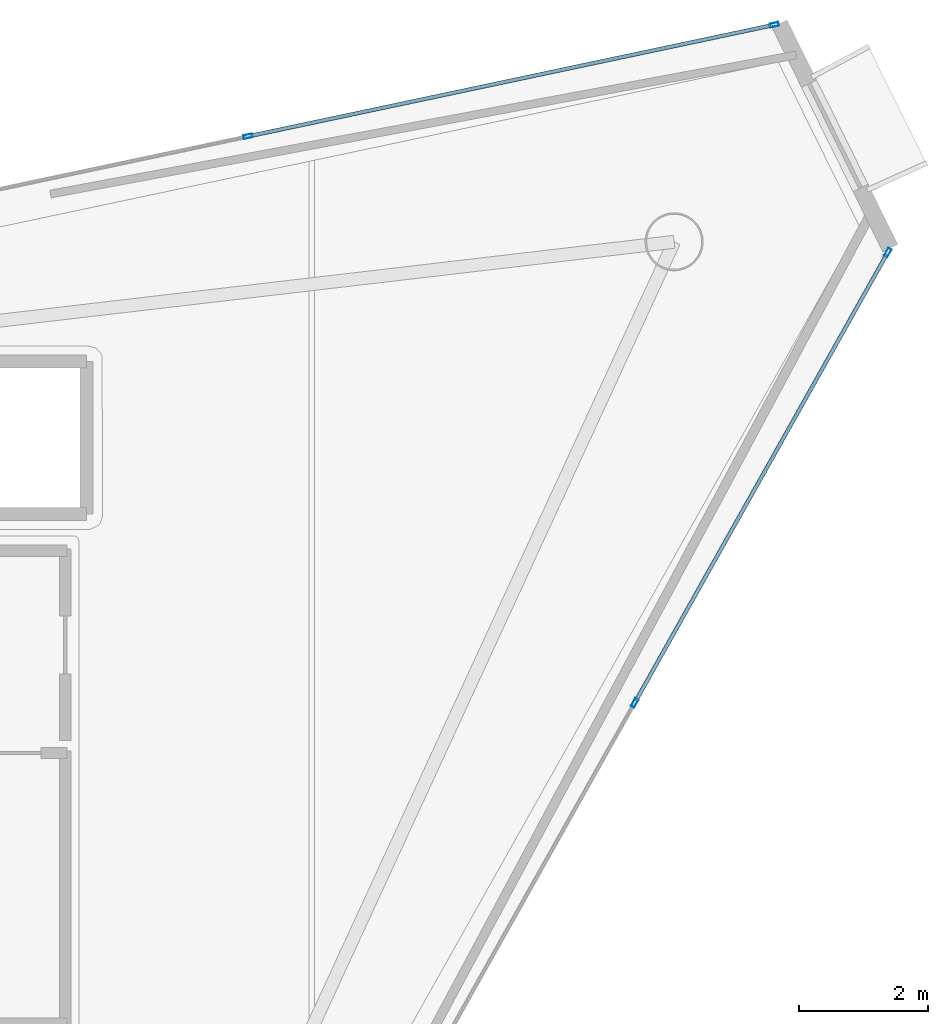
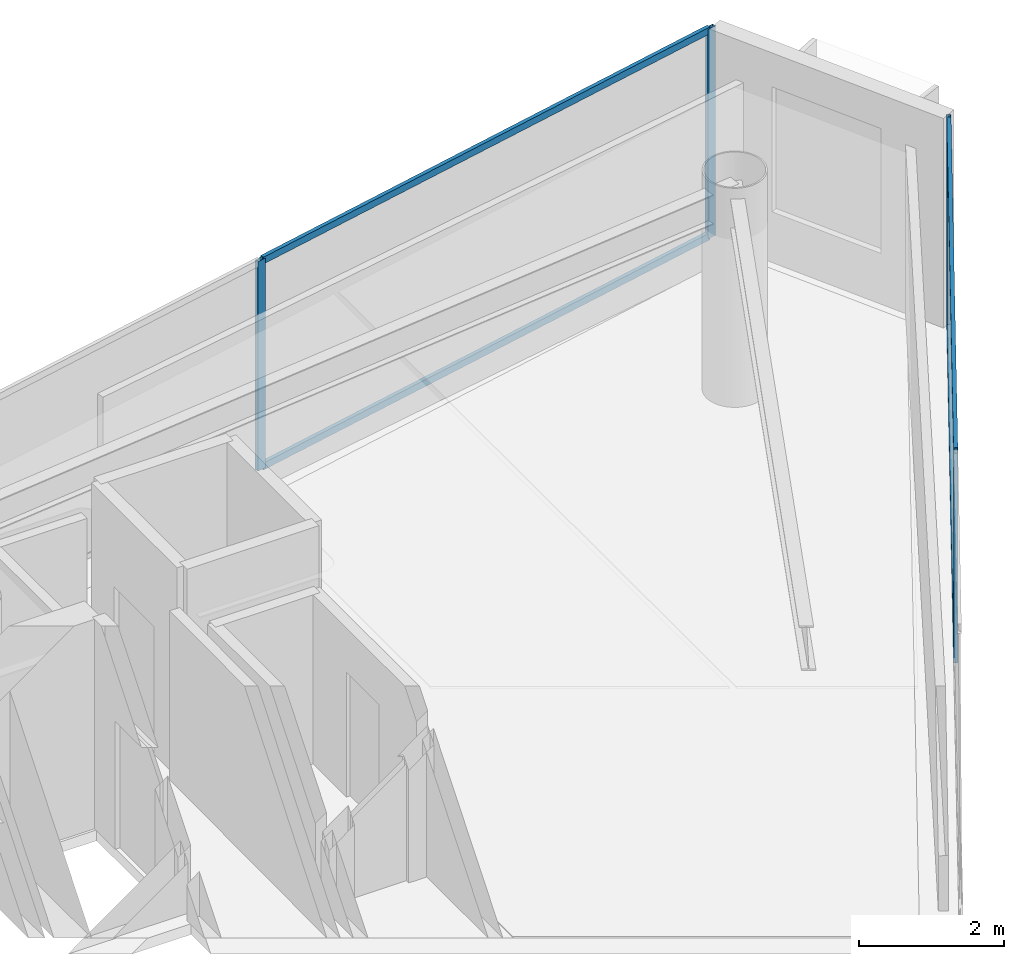
# One storey, part 15 of 21: 8 members, 2 elements without a shape of their own.
"""IFC4 building model written with IfcOpenShell, lengths in metres."""

import ifcopenshell
import ifcopenshell.guid

model = None  # the IFC model being written
_history = None  # IfcOwnerHistory: only IFC2X3 demands one
_inside = {}  # id of a spatial element -> (the spatial element, [elements in it])
_under = {}  # id of a project, library or spatial element -> (it, [spatial elements below it])
_declared = {}  # id of a project -> (the project, [libraries it declares])
_typed = {}  # id of a type object -> (the type object, [elements of that type])
_made_of = {}  # id of a material, layer set ... -> (it, [elements and type objects made of it])


def new_model(schema):
    """Start an empty IFC model of exactly this schema.

    Asked for "IFC4X3", IfcOpenShell would pick the latest addendum, in which some entities
    have other attributes; the version numbers below select the first issue.
    IFC2X3 requires an IfcOwnerHistory on every rooted entity: one is made here for all.
    """
    global model, _history
    if schema == "IFC4X3":
        model = ifcopenshell.file(schema_version=(4, 3, 0, 0))
    else:
        model = ifcopenshell.file(schema=schema)
    _inside.clear()
    _under.clear()
    _declared.clear()
    _typed.clear()
    _made_of.clear()
    _history = None
    if model.schema == "IFC2X3":
        org = make("IfcOrganization", Name="unknown")
        user = make(
            "IfcPersonAndOrganization",
            ThePerson=make("IfcPerson", FamilyName="unknown"),
            TheOrganization=org,
        )
        app = make(
            "IfcApplication",
            ApplicationDeveloper=org,
            Version="unknown",
            ApplicationFullName="unknown",
            ApplicationIdentifier="unknown",
        )
        _history = make(
            "IfcOwnerHistory",
            OwningUser=user,
            OwningApplication=app,
            ChangeAction="ADDED",
            CreationDate=0,
        )
    return model


def make(cls, **values):
    """One entity of the class cls with the attributes given. An attribute that is None is left unset."""
    return model.create_entity(
        cls, **{name: value for name, value in values.items() if value is not None}
    )


def rooted(cls, **values):
    """An entity with a GlobalId (a new one), such as an element, a storey or a relation."""
    return make(cls, GlobalId=ifcopenshell.guid.new(), OwnerHistory=_history, **values)


def si_unit(unit_type, name, prefix=None):
    """IfcSIUnit, for example si_unit("LENGTHUNIT", "METRE", prefix="MILLI")."""
    return make("IfcSIUnit", UnitType=unit_type, Prefix=prefix, Name=name)


def assignment(units):
    """IfcUnitAssignment: the units of a project."""
    return None if units is None else make("IfcUnitAssignment", Units=units)


def point(xyz):
    """IfcCartesianPoint."""
    return None if xyz is None else make("IfcCartesianPoint", Coordinates=xyz)


def direction(xyz):
    """IfcDirection."""
    return None if xyz is None else make("IfcDirection", DirectionRatios=xyz)


def frame(location, z_axis=None, x_axis=None):
    """IfcAxis2Placement3D, a coordinate frame: its origin and axes. An axis left out is left unset."""
    return make(
        "IfcAxis2Placement3D",
        Location=point(location),
        Axis=direction(z_axis),
        RefDirection=direction(x_axis),
    )


def frame_2d(location, x_axis=None):
    """IfcAxis2Placement2D, a coordinate frame in the plane: its origin and x axis."""
    return make(
        "IfcAxis2Placement2D", Location=point(location), RefDirection=direction(x_axis)
    )


def origin():
    """The frame at (0, 0, 0) with its axes left unset."""
    return frame((0.0, 0.0, 0.0))


def origin_2d():
    """The frame at (0, 0) in the plane with its x axis left unset."""
    return frame_2d((0.0, 0.0))


def place(relative_to, where):
    """IfcLocalPlacement: puts the frame where relative to a parent placement (None: the world)."""
    return make(
        "IfcLocalPlacement", PlacementRelTo=relative_to, RelativePlacement=where
    )


def context(
    kind, dimensions, precision=None, world=None, true_north=None, identifier=None
):
    """IfcGeometricRepresentationContext, for example the 3D "Model" context."""
    return make(
        "IfcGeometricRepresentationContext",
        ContextIdentifier=identifier,
        ContextType=kind,
        CoordinateSpaceDimension=dimensions,
        Precision=precision,
        WorldCoordinateSystem=world,
        TrueNorth=true_north,
    )


def subcontext(parent, identifier, kind, view, scale=None):
    """IfcGeometricRepresentationSubContext, for example "Body" below "Model"."""
    return make(
        "IfcGeometricRepresentationSubContext",
        ContextIdentifier=identifier,
        ContextType=kind,
        ParentContext=parent,
        TargetScale=scale,
        TargetView=view,
    )


def project(units=None, contexts=None):
    """IfcProject with its units and contexts."""
    return rooted(
        "IfcProject",
        Name="project",
        RepresentationContexts=contexts,
        UnitsInContext=assignment(units),
    )


def spatial(cls, under=None, at=None, **own):
    """A site, building, storey or space (cls), placed at a placement, below another one or the project."""
    s = rooted(cls, ObjectPlacement=at, **own)
    if under is not None:
        _under.setdefault(under.id(), (under, []))[1].append(s)
    return s


def profile(cls, at=None, kind="AREA", **sizes):
    """A parametric profile (cls). Its sizes go by their IFC names, for example OverallWidth=200.0."""
    return make(cls, ProfileType=kind, Position=at, **sizes)


def hollow_rectangle(**sizes):
    """IfcRectangleHollowProfileDef."""
    return profile("IfcRectangleHollowProfileDef", **sizes)


def extrude(swept, where, along, depth):
    """IfcExtrudedAreaSolid: the profile swept, set in the frame where, extruded along a direction by depth."""
    return make(
        "IfcExtrudedAreaSolid",
        SweptArea=swept,
        Position=where,
        ExtrudedDirection=direction(along),
        Depth=depth,
    )


def shape(context_of_items, identifier, shape_type, items):
    """IfcShapeRepresentation: the items that make up one representation, for example the "Body"."""
    return make(
        "IfcShapeRepresentation",
        ContextOfItems=context_of_items,
        RepresentationIdentifier=identifier,
        RepresentationType=shape_type,
        Items=items,
    )


def material(Name=None, Category=None):
    """IfcMaterial."""
    return make("IfcMaterial", Name=Name, Category=Category)


def layer(
    of_material, thickness, ventilated=None, Name=None, Category=None, Priority=None
):
    """IfcMaterialLayer: one layer of a wall or slab, of a material (None: an air gap)."""
    return make(
        "IfcMaterialLayer",
        Material=of_material,
        LayerThickness=thickness,
        IsVentilated=ventilated,
        Name=Name,
        Category=Category,
        Priority=Priority,
    )


def layer_set(layers, Name=None):
    """IfcMaterialLayerSet."""
    return make("IfcMaterialLayerSet", MaterialLayers=layers, LayerSetName=Name)


def material_profile(
    of_material, cross_section, Name=None, Category=None, Priority=None
):
    """IfcMaterialProfile: a cross section and its material."""
    return make(
        "IfcMaterialProfile",
        Name=Name,
        Material=of_material,
        Profile=cross_section,
        Priority=Priority,
        Category=Category,
    )


def profile_set(profiles, Name=None, composite=None):
    """IfcMaterialProfileSet."""
    return make(
        "IfcMaterialProfileSet",
        Name=Name,
        MaterialProfiles=profiles,
        CompositeProfile=composite,
    )


def made_of(thing, what):
    """Note that an element or type object is made of a material, layer set ...; save() writes the relation."""
    if what is not None:
        _made_of.setdefault(what.id(), (what, []))[1].append(thing)
    return thing


def type_object(cls, material=None, **own):
    """A type object (cls), such as IfcWallType, which elements share."""
    return made_of(rooted(cls, **own), material)


def element(
    cls,
    number,
    at=None,
    inside=None,
    cuts=None,
    type_object=None,
    material=None,
    context=None,
    identifier="Body",
    shape_type=None,
    held_by="IfcProductDefinitionShape",
    body=None,
    shapes=None,
    **own,
):
    """One element of the class cls, such as IfcWall. Its Tag is "e" and its number.

    at: its placement. inside: the storey or other place that contains it. cuts: it is an
    opening in that element (IfcRelVoidsElement). A single representation is given by context,
    identifier, shape_type and body (its items); several are given by shapes. held_by: the class
    of the entity that holds the representations. save() writes the other relations.
    """
    e = rooted(cls, Tag="e%d" % number, ObjectPlacement=at, **own)
    if body is not None:
        shapes = [shape(context, identifier, shape_type, body)]
    if shapes is not None:
        e.Representation = make(held_by, Representations=shapes)
    if inside is not None:
        _inside.setdefault(inside.id(), (inside, []))[1].append(e)
    if cuts is not None:
        rooted(
            "IfcRelVoidsElement", RelatingBuildingElement=cuts, RelatedOpeningElement=e
        )
    if type_object is not None:
        _typed.setdefault(type_object.id(), (type_object, []))[1].append(e)
    return made_of(e, material)


def aggregate(whole, parts):
    """IfcRelAggregates: a whole, such as a stair, and the parts it consists of."""
    return rooted("IfcRelAggregates", RelatingObject=whole, RelatedObjects=parts)


def save(model, path):
    """Write the relations noted so far, then the file.

    IfcRelAggregates (storeys below a building ...), IfcRelContainedInSpatialStructure (elements
    in a storey), IfcRelDefinesByType, IfcRelAssociatesMaterial and IfcRelDeclares: one each for
    every whole, place, type object, material and project.
    """
    for whole, parts in _under.values():
        aggregate(whole, parts)
    for where, things in _inside.values():
        rooted(
            "IfcRelContainedInSpatialStructure",
            RelatedElements=things,
            RelatingStructure=where,
        )
    for kind, things in _typed.values():
        rooted("IfcRelDefinesByType", RelatedObjects=things, RelatingType=kind)
    for what, things in _made_of.values():
        rooted("IfcRelAssociatesMaterial", RelatedObjects=things, RelatingMaterial=what)
    for by, libraries in _declared.values():
        rooted("IfcRelDeclares", RelatingContext=by, RelatedDefinitions=libraries)
    model.write(path)


model = new_model("IFC4")

# Units and contexts
model_context = context("Model", 3, precision=1e-05, world=origin(), true_north=direction((0.0, 1.0)))
body_context = subcontext(model_context, "Body", "Model", "MODEL_VIEW")
ifc_project = project(units=[si_unit("LENGTHUNIT", "METRE"), si_unit("AREAUNIT", "SQUARE_METRE"), si_unit("VOLUMEUNIT", "CUBIC_METRE"), si_unit("PLANEANGLEUNIT", "RADIAN"), si_unit("MASSUNIT", "GRAM", prefix="KILO")], contexts=[model_context])

# Site, building, storey
site_placement = place(None, origin())
site = spatial("IfcSite", under=ifc_project, at=site_placement, CompositionType="ELEMENT")
building_placement = place(site_placement, origin())
building = spatial("IfcBuilding", under=site, at=building_placement, Name="Qianvela Tower", CompositionType="ELEMENT")
storey_placement = place(building_placement, frame((0.0, 0.0, 302.800048828125)))
storey = spatial("IfcBuildingStorey", under=building, at=storey_placement, Name="L78", CompositionType="ELEMENT", Elevation=302.800048828125)

# Curtain wall, members
ifc_material_1 = material(Name="Anodised Architectural Aluminium and Low-E Glass", Category="aluminium")
ifc_layer = layer(ifc_material_1, 0.14990234375)
ifc_layer_set = layer_set([ifc_layer], Name="Anodised Architectural Aluminium and Low-E Glass")
curtain_wall_type = type_object("IfcCurtainWallType", Name="CW-COLIV-Z78", PredefinedType="USERDEFINED", material=ifc_layer_set)
curtain_wall_1_placement = place(storey_placement, origin())
curtain_wall_1 = element("IfcCurtainWall", 1, at=curtain_wall_1_placement, inside=storey, type_object=curtain_wall_type, Name="L78 CW-COLIV-Z78 Curtain Wall 02A", ObjectType="CURTAIN_WALL_SYSTEM", PredefinedType="USERDEFINED")
ifc_material_2 = material(Name="Anodised Architectural Aluminium 6063-T6", Category="aluminium")
ifc_material_profile_1 = material_profile(ifc_material_2, hollow_rectangle(XDim=0.06005859375, YDim=0.139892578125, WallThickness=0.00439453125, at=origin_2d()), Name="ALU-MULL-60x140")
ifc_profile_set_1 = profile_set([ifc_material_profile_1], Name="Anodised Architectural Aluminium 6063-T6")
member_type_1 = type_object("IfcMemberType", Name="CW-COLIV-Z78-MULL", PredefinedType="MULLION", material=ifc_profile_set_1)
member_1_placement = place(storey_placement, frame((54.199462890625, 40.494873046875, 0.0), z_axis=(0.0, 0.0, 1.0), x_axis=(0.207344992385, -0.978267884648, 0.0)))
member_1 = element("IfcMember", 2, at=member_1_placement, type_object=member_type_1, Name="CW-6 mullion 1", PredefinedType="MULLION", context=body_context, shape_type="SweptSolid", body=[
    extrude(hollow_rectangle(XDim=0.06005859375, YDim=0.139892578125, WallThickness=0.00439453125, at=origin_2d()), origin(), (0.0, 0.0, 1.0), 3.52001953125),
])
member_2_placement = place(storey_placement, frame((46.050537109375, 38.767822265625, 0.0), z_axis=(0.0, 0.0, 1.0), x_axis=(0.207344992385, -0.978267884648, 0.0)))
member_2 = element("IfcMember", 3, at=member_2_placement, type_object=member_type_1, Name="CW-6 mullion 2", PredefinedType="MULLION", context=body_context, shape_type="SweptSolid", body=[
    extrude(hollow_rectangle(XDim=0.06005859375, YDim=0.139892578125, WallThickness=0.00439453125, at=origin_2d()), origin(), (0.0, 0.0, 1.0), 3.52001953125),
])

curtain_wall_2_placement = place(storey_placement, origin())
curtain_wall_2 = element("IfcCurtainWall", 4, at=curtain_wall_2_placement, inside=storey, type_object=curtain_wall_type, Name="L78 CW-COLIV-Z78 Curtain Wall 06C", ObjectType="CURTAIN_WALL_SYSTEM", PredefinedType="USERDEFINED")
member_3_placement = place(storey_placement, frame((52.03857421875, 29.997314453125, 0.0), z_axis=(0.0, 0.0, 1.0), x_axis=(-0.871838280576, 0.489793846963, 0.0)))
member_3 = element("IfcMember", 5, at=member_3_placement, type_object=member_type_1, Name="CW-6 mullion 2", PredefinedType="MULLION", context=body_context, shape_type="SweptSolid", body=[
    extrude(hollow_rectangle(XDim=0.06005859375, YDim=0.139892578125, WallThickness=0.00439453125, at=origin_2d()), origin(), (0.0, 0.0, 1.0), 3.52001953125),
])
member_4_placement = place(storey_placement, frame((55.955078125, 36.96875, 0.0), z_axis=(0.0, 0.0, 1.0), x_axis=(-0.871838280576, 0.489793846963, 0.0)))
member_4 = element("IfcMember", 6, at=member_4_placement, type_object=member_type_1, Name="CW-6 mullion 3", PredefinedType="MULLION", context=body_context, shape_type="SweptSolid", body=[
    extrude(hollow_rectangle(XDim=0.06005859375, YDim=0.139892578125, WallThickness=0.00439453125, at=origin_2d()), origin(), (0.0, 0.0, 1.0), 3.52001953125),
])

# Member
ifc_material_3 = material(Name="Anodised Architectural Aluminium 6063-T6", Category="aluminium")
ifc_material_profile_2 = material_profile(ifc_material_3, hollow_rectangle(XDim=0.06005859375, YDim=0.114990234375, WallThickness=0.00390625, at=origin_2d()), Name="ALU-TRAN-60x115")
ifc_profile_set_2 = profile_set([ifc_material_profile_2], Name="Anodised Architectural Aluminium 6063-T6")
member_type_2 = type_object("IfcMemberType", Name="CW-COLIV-Z78-TRAN", PredefinedType="USERDEFINED", material=ifc_profile_set_2)
member_5_placement = place(storey_placement, frame((54.170166015625, 40.48876953125, 0.030029296875), z_axis=(-0.978265710014, -0.207355252192, 0.0), x_axis=(0.207355252192, -0.978265710014, 0.0)))
member_5 = element("IfcMember", 7, at=member_5_placement, type_object=member_type_2, Name="CW-6 transom 1.1", ObjectType="TRANSOM", PredefinedType="USERDEFINED", context=body_context, shape_type="SweptSolid", body=[
    extrude(hollow_rectangle(XDim=0.06005859375, YDim=0.114990234375, WallThickness=0.00390625, at=origin_2d()), origin(), (0.0, 0.0, 1.0), 8.27001953125),
])

member_6_placement = place(storey_placement, frame((54.170166015625, 40.48876953125, 3.489990234375), z_axis=(-0.978265710014, -0.207355252192, 0.0), x_axis=(0.207355252192, -0.978265710014, 0.0)))
member_6 = element("IfcMember", 8, at=member_6_placement, type_object=member_type_2, Name="CW-6 transom 1.2", ObjectType="TRANSOM", PredefinedType="USERDEFINED", context=body_context, shape_type="SweptSolid", body=[
    extrude(hollow_rectangle(XDim=0.06005859375, YDim=0.114990234375, WallThickness=0.00390625, at=origin_2d()), origin(), (0.0, 0.0, 1.0), 8.27001953125),
])

aggregate(curtain_wall_1, [member_1, member_2, member_5, member_6])

member_7_placement = place(storey_placement, frame((52.05322265625, 30.0234375, 0.030029296875), z_axis=(0.489811319905, 0.871828464145, 0.0), x_axis=(-0.871828464145, 0.489811319905, 0.0)))
member_7 = element("IfcMember", 9, at=member_7_placement, type_object=member_type_2, Name="CW-6 transom 2.1", ObjectType="TRANSOM", PredefinedType="USERDEFINED", context=body_context, shape_type="SweptSolid", body=[
    extrude(hollow_rectangle(XDim=0.06005859375, YDim=0.114990234375, WallThickness=0.00390625, at=origin_2d()), origin(), (0.0, 0.0, 1.0), 7.93603515625),
])

member_8_placement = place(storey_placement, frame((52.05322265625, 30.0234375, 3.489990234375), z_axis=(0.489811319905, 0.871828464145, 0.0), x_axis=(-0.871828464145, 0.489811319905, 0.0)))
member_8 = element("IfcMember", 10, at=member_8_placement, type_object=member_type_2, Name="CW-6 transom 2.2", ObjectType="TRANSOM", PredefinedType="USERDEFINED", context=body_context, shape_type="SweptSolid", body=[
    extrude(hollow_rectangle(XDim=0.06005859375, YDim=0.114990234375, WallThickness=0.00390625, at=origin_2d()), origin(), (0.0, 0.0, 1.0), 7.93603515625),
])

aggregate(curtain_wall_2, [member_3, member_4, member_7, member_8])

save(model, "model.ifc")
